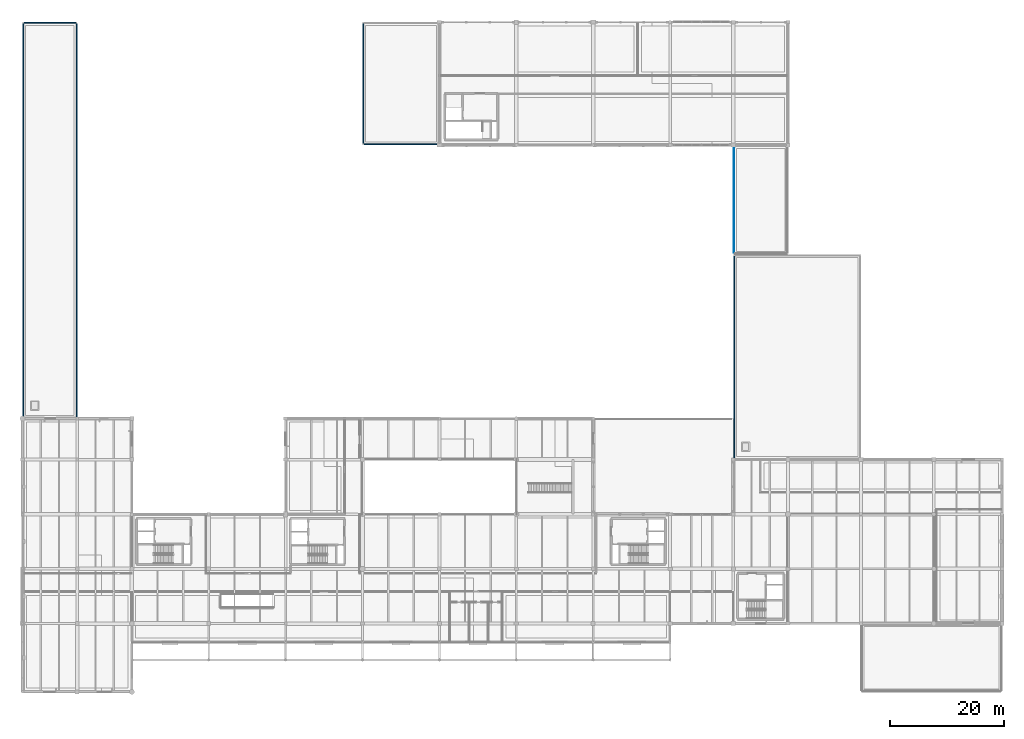
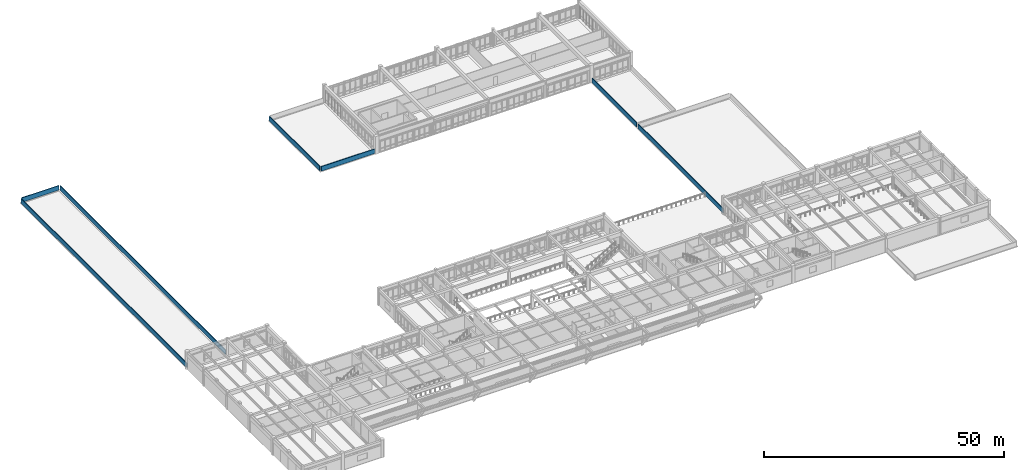
# One storey, part 92 of 109: 7 walls.
"""IFC4 building model written with IfcOpenShell, lengths in metres."""

from ifc_helpers import new_model, si_unit, direction, frame, frame_2d, origin, place, context, subcontext, project, spatial, rectangle, extrude, material, layer, layer_set, type_object, element, save


model = new_model("IFC4")

# Units and contexts
model_context = context("Model", 3, precision=1e-05, world=origin(), true_north=direction((0.0, 1.0)))
body_context = subcontext(model_context, "Body", "Model", "MODEL_VIEW")
ifc_project = project(units=[si_unit("LENGTHUNIT", "METRE"), si_unit("AREAUNIT", "SQUARE_METRE"), si_unit("VOLUMEUNIT", "CUBIC_METRE"), si_unit("PLANEANGLEUNIT", "RADIAN"), si_unit("MASSUNIT", "GRAM", prefix="KILO")], contexts=[model_context])

# Site, building, storey
site_placement = place(None, origin())
site = spatial("IfcSite", under=ifc_project, at=site_placement, CompositionType="ELEMENT")
building_placement = place(site_placement, origin())
building = spatial("IfcBuilding", under=site, at=building_placement, Name="Fikremerkos Civic Library", CompositionType="ELEMENT")
storey_placement = place(building_placement, frame((0.0, 0.0, 5.39990234375)))
storey = spatial("IfcBuildingStorey", under=building, at=storey_placement, Name="L01", CompositionType="ELEMENT", Elevation=5.39990234375)

# Walls
ifc_material = material(Name="Precast concrete C40/50", Category="concrete")
ifc_layer_1 = layer(ifc_material, 0.179931640625, Name="Precast concrete C40/50")
ifc_layer_set_1 = layer_set([ifc_layer_1], Name="Precast concrete C40/50")
wall_type_1 = type_object("IfcWallType", Name="Roof parapet wall PAR-01 180", PredefinedType="PARAPET", material=ifc_layer_set_1)
wall_1_placement = place(storey_placement, frame((0.300048828125, 117.47998046875, 0.0), z_axis=(0.0, 0.0, 1.0), x_axis=(1.0, 0.0, 0.0)))
element("IfcWall", 1, at=wall_1_placement, inside=storey, type_object=wall_type_1, Name="Roof parapet wall PAR-01 RF-L01-V5N N", PredefinedType="PARAPET", context=body_context, shape_type="SweptSolid", body=[
    extrude(rectangle(XDim=9.0, YDim=0.179931640625, at=frame_2d((4.5, 0.0))), origin(), (0.0, 0.0, 1.0), 1.150146484375),
])
for number, where, z_axis, x_axis, name in (
    (2, (0.1201171875, 48.300048828125, 0.0), (0.0, 0.0, 1.0), (0.0, 1.0, 0.0), "Roof parapet wall PAR-01 RF-L01-V5N W"),
    (3, (9.47998046875, 48.300048828125, 0.0), (0.0, 0.0, 1.0), (0.0, 1.0, 0.0), "Roof parapet wall PAR-01 RF-L01-V5N E"),
):
    element("IfcWall", number, at=place(storey_placement, frame(where, z_axis=z_axis, x_axis=x_axis)), inside=storey, type_object=wall_type_1, Name=name, PredefinedType="PARAPET", context=body_context, shape_type="SweptSolid", body=[
        extrude(rectangle(XDim=69.0, YDim=0.179931640625, at=frame_2d((34.5, 0.0))), origin(), (0.0, 0.0, 1.0), 1.150146484375),
    ])
wall_2_placement = place(storey_placement, frame((124.919921875, 41.10009765625, 0.0), z_axis=(0.0, 0.0, 1.0), x_axis=(0.0, 1.0, 0.0)))
element("IfcWall", 4, at=wall_2_placement, inside=storey, type_object=wall_type_1, Name="Roof parapet wall PAR-01 RF-L01-V3N W", PredefinedType="PARAPET", context=body_context, shape_type="SweptSolid", body=[
    extrude(rectangle(XDim=35.39990234375, YDim=0.179931640625, at=frame_2d((17.699951171875, 0.0))), origin(), (0.0, 0.0, 1.0), 1.150146484375),
])
wall_3_placement = place(storey_placement, frame((60.0, 96.1201171875, 0.0), z_axis=(0.0, 0.0, 1.0), x_axis=(1.0, 0.0, 0.0)))
element("IfcWall", 5, at=wall_3_placement, inside=storey, type_object=wall_type_1, Name="Roof parapet wall PAR-01 RF-L01-V2W S", PredefinedType="PARAPET", context=body_context, shape_type="SweptSolid", body=[
    extrude(rectangle(XDim=12.89990234375, YDim=0.179931640625, at=frame_2d((6.449951171875, 0.0))), origin(), (0.0, 0.0, 1.0), 1.150146484375),
])
wall_4_placement = place(storey_placement, frame((59.820068359375, 96.300048828125, 0.0), z_axis=(0.0, 0.0, 1.0), x_axis=(0.0, 1.0, 0.0)))
element("IfcWall", 6, at=wall_4_placement, inside=storey, type_object=wall_type_1, Name="Roof parapet wall PAR-01 RF-L01-V2W W", PredefinedType="PARAPET", context=body_context, shape_type="SweptSolid", body=[
    extrude(rectangle(XDim=21.0, YDim=0.179931640625, at=frame_2d((10.5, 0.0))), origin(), (0.0, 0.0, 1.0), 1.150146484375),
])
ifc_layer_2 = layer(ifc_material, 0.159912109375, Name="Precast concrete C40/50")
ifc_layer_set_2 = layer_set([ifc_layer_2], Name="Precast concrete C40/50")
wall_type_2 = type_object("IfcWallType", Name="Roof parapet wall PAR-02 160", PredefinedType="PARAPET", material=ifc_layer_set_2)
wall_5_placement = place(storey_placement, frame((124.919921875, 77.10009765625, 0.0), z_axis=(0.0, 0.0, 1.0), x_axis=(0.0, 1.0, 0.0)))
element("IfcWall", 7, at=wall_5_placement, inside=storey, type_object=wall_type_2, Name="Roof parapet wall PAR-02 RF-L01-V2L W", PredefinedType="PARAPET", context=body_context, shape_type="SweptSolid", body=[
    extrude(rectangle(XDim=18.599853515625, YDim=0.159912109375, at=frame_2d((9.2998046875, 0.0))), origin(), (0.0, 0.0, 1.0), 1.150146484375),
])

save(model, "model.ifc")
